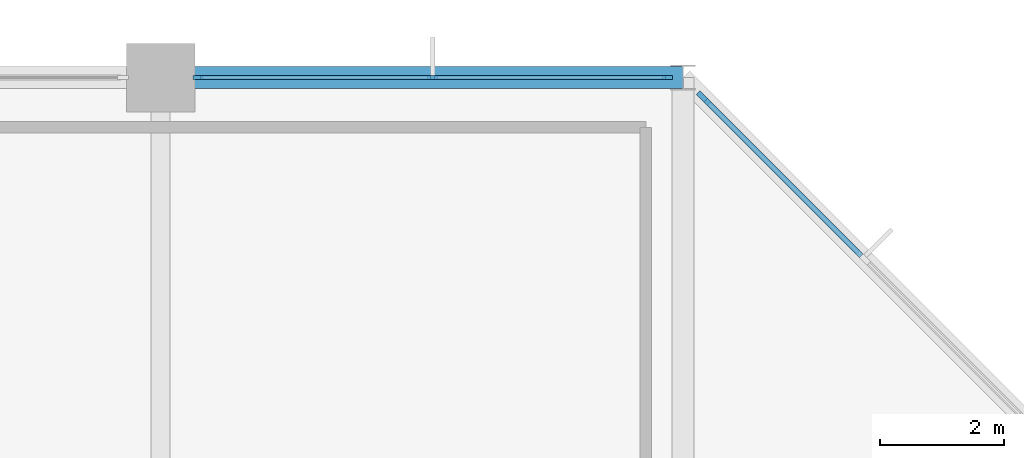
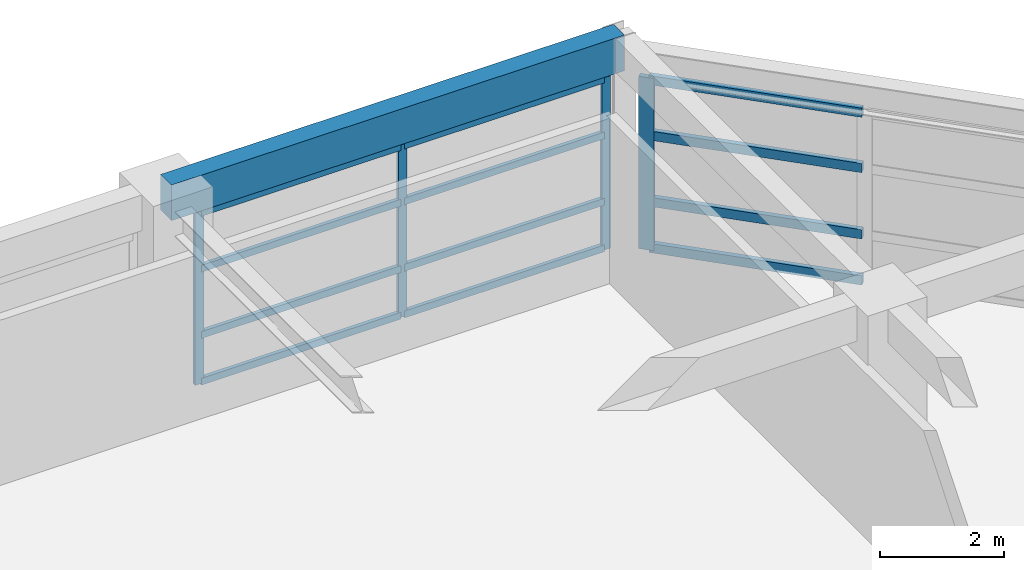
# One storey, part 12 of 19: 16 members, 1 beam, 2 elements without a shape of their own.
"""IFC4 building model written with IfcOpenShell, lengths in metres."""

from ifc_helpers import new_model, si_unit, direction, frame, origin, origin_2d, place, context, subcontext, project, spatial, rectangle, extrude, material, material_profile, profile_set, type_object, element, aggregate, save


model = new_model("IFC4")

# Units and contexts
model_context = context("Model", 3, precision=1e-05, world=origin(), true_north=direction((0.0, 1.0)))
body_context = subcontext(model_context, "Body", "Model", "MODEL_VIEW")
ifc_project = project(units=[si_unit("LENGTHUNIT", "METRE"), si_unit("AREAUNIT", "SQUARE_METRE"), si_unit("VOLUMEUNIT", "CUBIC_METRE"), si_unit("PLANEANGLEUNIT", "RADIAN"), si_unit("MASSUNIT", "GRAM", prefix="KILO")], contexts=[model_context])

# Site, building, storey
site_placement = place(None, origin())
site = spatial("IfcSite", under=ifc_project, at=site_placement, CompositionType="ELEMENT")
building_placement = place(site_placement, origin())
building = spatial("IfcBuilding", under=site, at=building_placement, Name="Xuanlan Plaza Opera House", CompositionType="ELEMENT")
storey_placement = place(building_placement, frame((0.0, 0.0, 36.300048828125)))
storey = spatial("IfcBuildingStorey", under=building, at=storey_placement, Name="L08", CompositionType="ELEMENT", Elevation=36.300048828125)

# Curtain wall, members
ifc_material_1 = material(Name="Anodised Aluminium 6063-T6 and Low-E Glass", Category="aluminium")
curtain_wall_type_1 = type_object("IfcCurtainWallType", Name="ENV-CW-CW-01", PredefinedType="USERDEFINED", material=ifc_material_1)
curtain_wall_1_placement = place(storey_placement, origin())
curtain_wall_1 = element("IfcCurtainWall", 1, at=curtain_wall_1_placement, inside=storey, type_object=curtain_wall_type_1, Name="Unitised Curtain Wall L08-011", ObjectType="UNITISED CURTAIN WALL", PredefinedType="USERDEFINED")
ifc_material_2 = material(Name="Anodised Aluminium 6063-T6", Category="aluminium")
ifc_material_profile_1 = material_profile(ifc_material_2, rectangle(XDim=0.06494140625, YDim=0.159912109375, at=origin_2d()), Name="ALU-M 65x160")
ifc_profile_set_1 = profile_set([ifc_material_profile_1], Name="Anodised Aluminium 6063-T6")
member_type_1 = type_object("IfcMemberType", Name="ENV-CWM-01", PredefinedType="MULLION", material=ifc_profile_set_1)
member_1_placement = place(storey_placement, frame((159.347412109375, 84.0, 0.0), z_axis=(0.0, 0.0, 1.0), x_axis=(0.0, -1.0, 0.0)))
member_1 = element("IfcMember", 2, at=member_1_placement, type_object=member_type_1, Name="CW-01 mullion 1", PredefinedType="MULLION", context=body_context, shape_type="SweptSolid", body=[
    extrude(rectangle(XDim=0.06494140625, YDim=0.159912109375, at=origin_2d()), origin(), (0.0, 0.0, 1.0), 3.3798828125),
])
member_2_placement = place(storey_placement, frame((155.574951171875, 84.0, 0.0), z_axis=(0.0, 0.0, 1.0), x_axis=(0.0, -1.0, 0.0)))
member_2 = element("IfcMember", 3, at=member_2_placement, type_object=member_type_1, Name="CW-01 mullion 2", PredefinedType="MULLION", context=body_context, shape_type="SweptSolid", body=[
    extrude(rectangle(XDim=0.06494140625, YDim=0.159912109375, at=origin_2d()), origin(), (0.0, 0.0, 1.0), 3.3798828125),
])
member_3_placement = place(storey_placement, frame((151.802490234375, 84.0, 0.0), z_axis=(0.0, 0.0, 1.0), x_axis=(0.0, -1.0, 0.0)))
member_3 = element("IfcMember", 4, at=member_3_placement, type_object=member_type_1, Name="CW-01 mullion 3", PredefinedType="MULLION", context=body_context, shape_type="SweptSolid", body=[
    extrude(rectangle(XDim=0.06494140625, YDim=0.159912109375, at=origin_2d()), origin(), (0.0, 0.0, 1.0), 3.3798828125),
])

# Curtain wall, member
curtain_wall_type_2 = type_object("IfcCurtainWallType", Name="ENV-CW-CW-04", PredefinedType="USERDEFINED", material=ifc_material_1)
curtain_wall_2_placement = place(storey_placement, origin())
curtain_wall_2 = element("IfcCurtainWall", 5, at=curtain_wall_2_placement, inside=storey, type_object=curtain_wall_type_2, Name="Unitised Curtain Wall L08-010", ObjectType="UNITISED CURTAIN WALL", PredefinedType="USERDEFINED")
ifc_material_profile_2 = material_profile(ifc_material_2, rectangle(XDim=0.090087890625, YDim=0.25, at=origin_2d()), Name="ALU-M 90x250")
ifc_profile_set_2 = profile_set([ifc_material_profile_2], Name="Anodised Aluminium 6063-T6")
member_type_2 = type_object("IfcMemberType", Name="ENV-CWM-05", PredefinedType="MULLION", material=ifc_profile_set_2)
member_4_placement = place(storey_placement, frame((159.930908203125, 83.669189453125, 0.0), z_axis=(0.0, 0.0, 1.0), x_axis=(-0.707106781187, -0.707106781187, 0.0)))
member_4 = element("IfcMember", 6, at=member_4_placement, type_object=member_type_2, Name="CW-04 mullion 4", PredefinedType="MULLION", context=body_context, shape_type="SweptSolid", body=[
    extrude(rectangle(XDim=0.090087890625, YDim=0.25, at=origin_2d()), origin(), (0.0, 0.0, 1.0), 3.3798828125),
])

# Member
ifc_material_profile_3 = material_profile(ifc_material_2, rectangle(XDim=0.070068359375, YDim=0.135009765625, at=origin_2d()), Name="ALU-T 70x135")
ifc_profile_set_3 = profile_set([ifc_material_profile_3], Name="Anodised Aluminium 6063-T6")
member_type_3 = type_object("IfcMemberType", Name="ENV-CWT-02", PredefinedType="USERDEFINED", material=ifc_profile_set_3)
member_5_placement = place(storey_placement, frame((159.31494140625, 84.0, 0.034912109375), z_axis=(-1.0, 0.0, 0.0), x_axis=(0.0, -1.0, 0.0)))
member_5 = element("IfcMember", 7, at=member_5_placement, type_object=member_type_3, Name="CW-01 transom 1.1", ObjectType="TRANSOM", PredefinedType="USERDEFINED", context=body_context, shape_type="SweptSolid", body=[
    extrude(rectangle(XDim=0.070068359375, YDim=0.135009765625, at=origin_2d()), origin(), (0.0, 0.0, 1.0), 3.70751953125),
])

member_6_placement = place(storey_placement, frame((159.31494140625, 84.0, 0.949951171875), z_axis=(-1.0, 0.0, 0.0), x_axis=(0.0, -1.0, 0.0)))
member_6 = element("IfcMember", 8, at=member_6_placement, type_object=member_type_3, Name="CW-01 transom 1.2", ObjectType="TRANSOM", PredefinedType="USERDEFINED", context=body_context, shape_type="SweptSolid", body=[
    extrude(rectangle(XDim=0.070068359375, YDim=0.135009765625, at=origin_2d()), origin(), (0.0, 0.0, 1.0), 3.70751953125),
])

member_7_placement = place(storey_placement, frame((159.31494140625, 84.0, 2.25), z_axis=(-1.0, 0.0, 0.0), x_axis=(0.0, -1.0, 0.0)))
member_7 = element("IfcMember", 9, at=member_7_placement, type_object=member_type_3, Name="CW-01 transom 1.3", ObjectType="TRANSOM", PredefinedType="USERDEFINED", context=body_context, shape_type="SweptSolid", body=[
    extrude(rectangle(XDim=0.070068359375, YDim=0.135009765625, at=origin_2d()), origin(), (0.0, 0.0, 1.0), 3.70751953125),
])

member_8_placement = place(storey_placement, frame((159.31494140625, 84.0, 3.344970703125), z_axis=(-1.0, 0.0, 0.0), x_axis=(0.0, -1.0, 0.0)))
member_8 = element("IfcMember", 10, at=member_8_placement, type_object=member_type_3, Name="CW-01 transom 1.4", ObjectType="TRANSOM", PredefinedType="USERDEFINED", context=body_context, shape_type="SweptSolid", body=[
    extrude(rectangle(XDim=0.070068359375, YDim=0.135009765625, at=origin_2d()), origin(), (0.0, 0.0, 1.0), 3.70751953125),
])

member_9_placement = place(storey_placement, frame((155.54248046875, 84.0, 0.034912109375), z_axis=(-1.0, 0.0, 0.0), x_axis=(0.0, -1.0, 0.0)))
member_9 = element("IfcMember", 11, at=member_9_placement, type_object=member_type_3, Name="CW-01 transom 2.1", ObjectType="TRANSOM", PredefinedType="USERDEFINED", context=body_context, shape_type="SweptSolid", body=[
    extrude(rectangle(XDim=0.070068359375, YDim=0.135009765625, at=origin_2d()), origin(), (0.0, 0.0, 1.0), 3.70751953125),
])

member_10_placement = place(storey_placement, frame((155.54248046875, 84.0, 0.949951171875), z_axis=(-1.0, 0.0, 0.0), x_axis=(0.0, -1.0, 0.0)))
member_10 = element("IfcMember", 12, at=member_10_placement, type_object=member_type_3, Name="CW-01 transom 2.2", ObjectType="TRANSOM", PredefinedType="USERDEFINED", context=body_context, shape_type="SweptSolid", body=[
    extrude(rectangle(XDim=0.070068359375, YDim=0.135009765625, at=origin_2d()), origin(), (0.0, 0.0, 1.0), 3.70751953125),
])

member_11_placement = place(storey_placement, frame((155.54248046875, 84.0, 2.25), z_axis=(-1.0, 0.0, 0.0), x_axis=(0.0, -1.0, 0.0)))
member_11 = element("IfcMember", 13, at=member_11_placement, type_object=member_type_3, Name="CW-01 transom 2.3", ObjectType="TRANSOM", PredefinedType="USERDEFINED", context=body_context, shape_type="SweptSolid", body=[
    extrude(rectangle(XDim=0.070068359375, YDim=0.135009765625, at=origin_2d()), origin(), (0.0, 0.0, 1.0), 3.70751953125),
])

member_12_placement = place(storey_placement, frame((155.54248046875, 84.0, 3.344970703125), z_axis=(-1.0, 0.0, 0.0), x_axis=(0.0, -1.0, 0.0)))
member_12 = element("IfcMember", 14, at=member_12_placement, type_object=member_type_3, Name="CW-01 transom 2.4", ObjectType="TRANSOM", PredefinedType="USERDEFINED", context=body_context, shape_type="SweptSolid", body=[
    extrude(rectangle(XDim=0.070068359375, YDim=0.135009765625, at=origin_2d()), origin(), (0.0, 0.0, 1.0), 3.70751953125),
])

aggregate(curtain_wall_1, [member_1, member_2, member_3, member_5, member_6, member_7, member_8, member_9, member_10, member_11, member_12])

ifc_material_profile_4 = material_profile(ifc_material_2, rectangle(XDim=0.090087890625, YDim=0.179931640625, at=origin_2d()), Name="ALU-T 90x180")
ifc_profile_set_4 = profile_set([ifc_material_profile_4], Name="Anodised Aluminium 6063-T6")
member_type_4 = type_object("IfcMemberType", Name="ENV-CWT-05", PredefinedType="USERDEFINED", material=ifc_profile_set_4)
member_13_placement = place(storey_placement, frame((162.4677734375, 81.132080078125, 0.044921875), z_axis=(-0.70707232599, 0.707141234705, 0.0), x_axis=(-0.707141234705, -0.70707232599, 0.0)))
member_13 = element("IfcMember", 15, at=member_13_placement, type_object=member_type_4, Name="CW-04 transom 3.1", ObjectType="TRANSOM", PredefinedType="USERDEFINED", context=body_context, shape_type="SweptSolid", body=[
    extrude(rectangle(XDim=0.090087890625, YDim=0.179931640625, at=origin_2d()), origin(), (0.0, 0.0, 1.0), 3.54296875),
])

member_14_placement = place(storey_placement, frame((162.4677734375, 81.132080078125, 0.949951171875), z_axis=(-0.70707232599, 0.707141234705, 0.0), x_axis=(-0.707141234705, -0.70707232599, 0.0)))
member_14 = element("IfcMember", 16, at=member_14_placement, type_object=member_type_4, Name="CW-04 transom 3.2", ObjectType="TRANSOM", PredefinedType="USERDEFINED", context=body_context, shape_type="SweptSolid", body=[
    extrude(rectangle(XDim=0.090087890625, YDim=0.179931640625, at=origin_2d()), origin(), (0.0, 0.0, 1.0), 3.54296875),
])

member_15_placement = place(storey_placement, frame((162.4677734375, 81.132080078125, 2.25), z_axis=(-0.70707232599, 0.707141234705, 0.0), x_axis=(-0.707141234705, -0.70707232599, 0.0)))
member_15 = element("IfcMember", 17, at=member_15_placement, type_object=member_type_4, Name="CW-04 transom 3.3", ObjectType="TRANSOM", PredefinedType="USERDEFINED", context=body_context, shape_type="SweptSolid", body=[
    extrude(rectangle(XDim=0.090087890625, YDim=0.179931640625, at=origin_2d()), origin(), (0.0, 0.0, 1.0), 3.54296875),
])

member_16_placement = place(storey_placement, frame((162.4677734375, 81.132080078125, 3.3349609375), z_axis=(-0.70707232599, 0.707141234705, 0.0), x_axis=(-0.707141234705, -0.70707232599, 0.0)))
member_16 = element("IfcMember", 18, at=member_16_placement, type_object=member_type_4, Name="CW-04 transom 3.4", ObjectType="TRANSOM", PredefinedType="USERDEFINED", context=body_context, shape_type="SweptSolid", body=[
    extrude(rectangle(XDim=0.090087890625, YDim=0.179931640625, at=origin_2d()), origin(), (0.0, 0.0, 1.0), 3.54296875),
])

aggregate(curtain_wall_2, [member_4, member_13, member_14, member_15, member_16])

# Beam
ifc_material_3 = material(Name="Concrete C40", Category="concrete")
ifc_material_profile_5 = material_profile(ifc_material_3, rectangle(XDim=0.35009765625, YDim=0.699951171875, at=origin_2d()), Name="RC-SPD 350x700")
ifc_profile_set_5 = profile_set([ifc_material_profile_5], Name="Concrete C40")
beam_type = type_object("IfcBeamType", Name="STR-BM-SP-02", PredefinedType="SPANDREL", material=ifc_profile_set_5)
beam_placement = place(storey_placement, frame((151.199951171875, 84.0, 3.849853515625), z_axis=(1.0, 0.0, 0.0), x_axis=(0.0, 1.0, 0.0)))
element("IfcBeam", 19, at=beam_placement, inside=storey, type_object=beam_type, Name="Grid Beam X L08 19-20/K", PredefinedType="SPANDREL", context=body_context, shape_type="SweptSolid", body=[
    extrude(rectangle(XDim=0.35009765625, YDim=0.699951171875, at=origin_2d()), origin(), (0.0, 0.0, 1.0), 8.400146484375),
])

save(model, "model.ifc")
